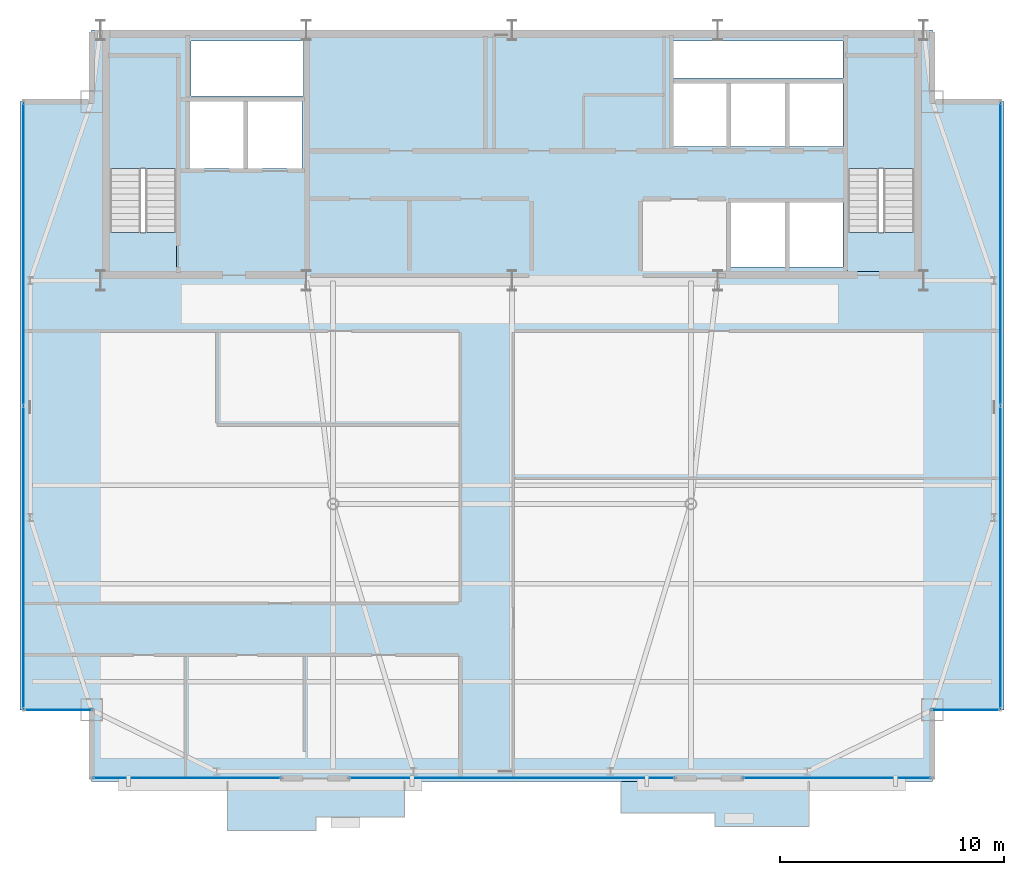
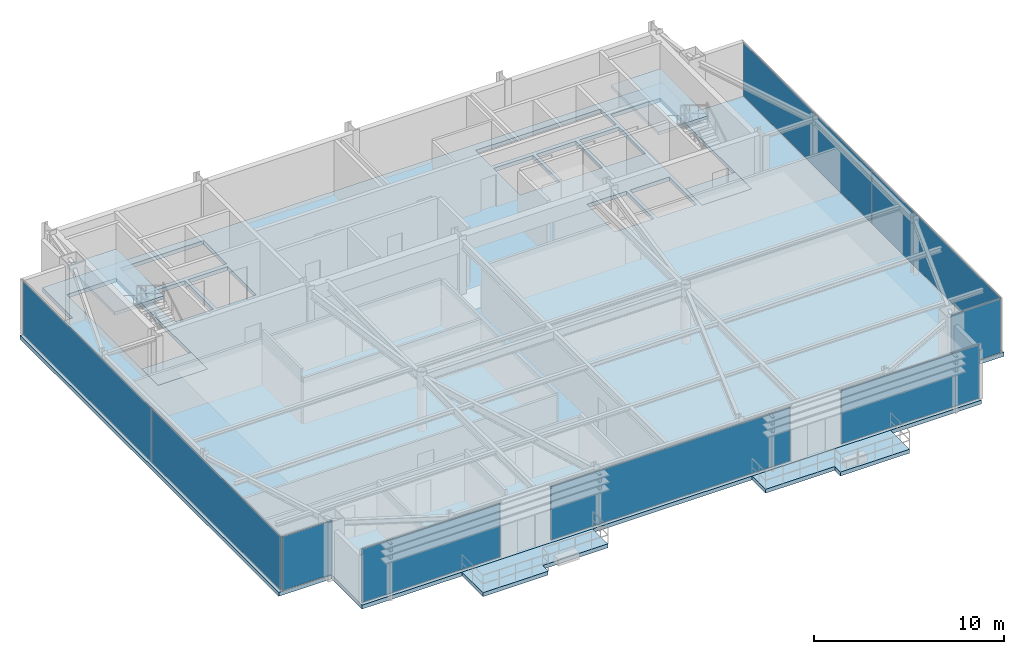
# One storey, part 18 of 24: 9 plates, 7 slabs, 9 elements without a shape of their own.
"""IFC4 building model written with IfcOpenShell, lengths in metres."""

from ifc_helpers import new_model, si_unit, direction, frame, origin, origin_2d, place, context, subcontext, project, spatial, polyline, rectangle, outline, extrude, source, transform, mapped, material, layer, layer_set, type_object, type_shapes, element, aggregate, save


model = new_model("IFC4")

# Units and contexts
model_context = context("Model", 3, precision=1e-05, world=origin(), true_north=direction((0.0, 1.0)))
body_context = subcontext(model_context, "Body", "Model", "MODEL_VIEW")
ifc_project = project(units=[si_unit("LENGTHUNIT", "METRE"), si_unit("AREAUNIT", "SQUARE_METRE"), si_unit("VOLUMEUNIT", "CUBIC_METRE"), si_unit("PLANEANGLEUNIT", "RADIAN"), si_unit("MASSUNIT", "GRAM", prefix="KILO")], contexts=[model_context])

# Site, building, storey
site_placement = place(None, origin())
site = spatial("IfcSite", under=ifc_project, at=site_placement, CompositionType="ELEMENT")
building_placement = place(site_placement, origin())
building = spatial("IfcBuilding", under=site, at=building_placement, Name="Varnel Quay Broadcast Tower", CompositionType="ELEMENT")
storey_placement = place(building_placement, frame((0.0, 0.0, 281.199951171875)))
storey = spatial("IfcBuildingStorey", under=building, at=storey_placement, Name="L70", CompositionType="ELEMENT", Elevation=281.199951171875)

# Slabs
ifc_material_1 = material(Name="Concrete CSA A23.3 C40/50", Category="concrete")
ifc_layer_1 = layer(ifc_material_1, 0.25, Name="Concrete CSA A23.3 C40/50")
ifc_layer_set_1 = layer_set([ifc_layer_1], Name="Concrete CSA A23.3 C40/50")
slab_type_1 = type_object("IfcSlabType", Name="Slab_ExtTerrace250", PredefinedType="FLOOR", material=ifc_layer_set_1)
slab_1_placement = place(storey_placement, frame((0.0, 0.0, -0.25)))
element("IfcSlab", 1, at=slab_1_placement, inside=storey, type_object=slab_type_1, Name="L70 Planted Lobe Terrace Slab 1", PredefinedType="FLOOR", context=body_context, shape_type="SweptSolid", body=[
    extrude(outline(polyline([(21.27001953125, 11.010009765625), (25.235107421875, 11.010009765625), (25.235107421875, 11.610107421875), (29.199951171875, 11.610107421875), (29.199951171875, 13.199951171875), (21.27001953125, 13.199951171875), (21.27001953125, 11.010009765625)])), origin(), (0.0, 0.0, 1.0), 0.25),
])
slab_2_placement = place(storey_placement, frame((0.0, 0.0, -0.25)))
element("IfcSlab", 2, at=slab_2_placement, inside=storey, type_object=slab_type_1, Name="L70 Planted Lobe Terrace Slab 2", PredefinedType="FLOOR", context=body_context, shape_type="SweptSolid", body=[
    extrude(outline(polyline([(38.8701171875, 11.7900390625), (43.070068359375, 11.7900390625), (43.070068359375, 11.18994140625), (47.27001953125, 11.18994140625), (47.27001953125, 13.199951171875), (38.8701171875, 13.199951171875), (38.8701171875, 11.7900390625)])), origin(), (0.0, 0.0, 1.0), 0.25),
])
ifc_material_2 = material(Name="Concrete CSA A23.3 C50/60", Category="concrete")
ifc_layer_2 = layer(ifc_material_2, 0.25, Name="Concrete CSA A23.3 C50/60")
ifc_layer_set_2 = layer_set([ifc_layer_2], Name="Concrete CSA A23.3 C50/60")
slab_type_2 = type_object("IfcSlabType", Name="Slab_Floor250", PredefinedType="FLOOR", material=ifc_layer_set_2)
slab_3_placement = place(storey_placement, frame((0.0, 0.0, -0.25)))
element("IfcSlab", 3, at=slab_3_placement, inside=storey, type_object=slab_type_2, Name="L70 Structural Slab", PredefinedType="FLOOR", context=body_context, shape_type="SweptSolid", body=[
    extrude(outline(polyline([(15.199951171875, 13.199951171875), (52.800048828125, 13.199951171875), (52.800048828125, 16.39990234375), (56.0, 16.39990234375), (56.0, 43.60009765625), (52.800048828125, 43.60009765625), (52.800048828125, 46.800048828125), (15.199951171875, 46.800048828125), (15.199951171875, 43.60009765625), (12.0, 43.60009765625), (12.0, 16.39990234375), (15.199951171875, 16.39990234375), (15.199951171875, 13.199951171875)]), holes=[polyline([(19.0, 36.0), (16.0, 36.0), (16.0, 45.60009765625), (19.0, 45.60009765625), (19.0, 36.0)]), polyline([(19.60009765625, 40.60009765625), (19.60009765625, 43.60009765625), (22.0, 43.60009765625), (22.0, 40.60009765625), (19.60009765625, 40.60009765625)]), polyline([(22.199951171875, 40.60009765625), (22.199951171875, 43.60009765625), (24.60009765625, 43.60009765625), (24.60009765625, 40.60009765625), (22.199951171875, 40.60009765625)]), polyline([(41.199951171875, 44.39990234375), (43.60009765625, 44.39990234375), (43.60009765625, 41.60009765625), (41.199951171875, 41.60009765625), (41.199951171875, 44.39990234375)]), polyline([(43.800048828125, 44.39990234375), (46.199951171875, 44.39990234375), (46.199951171875, 41.60009765625), (43.800048828125, 41.60009765625), (43.800048828125, 44.39990234375)]), polyline([(19.64990234375, 43.85009765625), (19.64990234375, 46.300048828125), (24.679931640625, 46.300048828125), (24.679931640625, 43.85009765625), (19.64990234375, 43.85009765625)]), polyline([(43.800048828125, 39.10009765625), (46.199951171875, 39.10009765625), (46.199951171875, 36.199951171875), (43.800048828125, 36.199951171875), (43.800048828125, 39.10009765625)]), polyline([(46.39990234375, 39.10009765625), (48.800048828125, 39.10009765625), (48.800048828125, 36.199951171875), (46.39990234375, 36.199951171875), (46.39990234375, 39.10009765625)]), polyline([(52.0, 36.0), (49.0, 36.0), (49.0, 45.60009765625), (52.0, 45.60009765625), (52.0, 36.0)]), polyline([(46.39990234375, 44.39990234375), (48.800048828125, 44.39990234375), (48.800048828125, 41.60009765625), (46.39990234375, 41.60009765625), (46.39990234375, 44.39990234375)]), polyline([(41.199951171875, 46.300048828125), (48.800048828125, 46.300048828125), (48.800048828125, 44.64990234375), (41.199951171875, 44.64990234375), (41.199951171875, 46.300048828125)])]), origin(), (0.0, 0.0, 1.0), 0.25),
])
ifc_layer_3 = layer(ifc_material_2, 0.25, Name="Concrete CSA A23.3 C50/60")
ifc_layer_set_3 = layer_set([ifc_layer_3], Name="Concrete CSA A23.3 C50/60")
slab_type_3 = type_object("IfcSlabType", Name="Slab_StairFloorLanding250", PredefinedType="FLOOR", material=ifc_layer_set_3)
slab_4_placement = place(storey_placement, frame((0.0, 0.0, -0.25)))
element("IfcSlab", 4, at=slab_4_placement, inside=storey, type_object=slab_type_3, Name="L70 ST-01 Structural Floor Landing Slab", PredefinedType="FLOOR", context=body_context, shape_type="SweptSolid", body=[
    extrude(outline(polyline([(19.0, 36.0), (19.0, 37.75), (16.0, 37.75), (16.0, 36.0), (19.0, 36.0)])), origin(), (0.0, 0.0, 1.0), 0.25),
])
slab_5_placement = place(storey_placement, frame((0.0, 0.0, -0.25)))
element("IfcSlab", 5, at=slab_5_placement, inside=storey, type_object=slab_type_3, Name="L70 ST-02 Structural Floor Landing Slab", PredefinedType="FLOOR", context=body_context, shape_type="SweptSolid", body=[
    extrude(outline(polyline([(52.0, 36.0), (52.0, 37.75), (49.0, 37.75), (49.0, 36.0), (52.0, 36.0)])), origin(), (0.0, 0.0, 1.0), 0.25),
])

# Stair, slab
ifc_material_3 = material(Name="Precast Structural Concrete C40/50", Category="concrete")
stair_type_1 = type_object("IfcStairType", Name="Stair_ST-01", PredefinedType="HALF_TURN_STAIR", material=ifc_material_3)
stair_1_placement = place(storey_placement, origin())
stair_1 = element("IfcStair", 6, at=stair_1_placement, inside=storey, type_object=stair_type_1, Name="L70 West Core Exit Stair 1", PredefinedType="HALF_TURN_STAIR")
ifc_layer_4 = layer(ifc_material_3, 0.199951171875, Name="Precast Structural Concrete C40/50")
ifc_layer_set_4 = layer_set([ifc_layer_4], Name="Precast Structural Concrete C40/50")
slab_type_4 = type_object("IfcSlabType", Name="Slab_StairLanding200", PredefinedType="LANDING", material=ifc_layer_set_4)
slab_6_placement = place(storey_placement, frame((0.0, 0.0, 1.699951171875)))
slab_6 = element("IfcSlab", 7, at=slab_6_placement, type_object=slab_type_4, Name="ST-01 landing 1", PredefinedType="LANDING", context=body_context, shape_type="SweptSolid", body=[
    extrude(outline(polyline([(19.0, 40.60009765625), (19.0, 45.60009765625), (16.0, 45.60009765625), (16.0, 40.60009765625), (19.0, 40.60009765625)])), origin(), (0.0, 0.0, 1.0), 0.2001953125),
])
aggregate(stair_1, [slab_6])

stair_type_2 = type_object("IfcStairType", Name="Stair_ST-02", PredefinedType="HALF_TURN_STAIR", material=ifc_material_3)
stair_2_placement = place(storey_placement, origin())
stair_2 = element("IfcStair", 8, at=stair_2_placement, inside=storey, type_object=stair_type_2, Name="L70 East Core Exit Stair 2", PredefinedType="HALF_TURN_STAIR")
slab_7_placement = place(storey_placement, frame((0.0, 0.0, 1.699951171875)))
slab_7 = element("IfcSlab", 9, at=slab_7_placement, type_object=slab_type_4, Name="ST-02 landing 1", PredefinedType="LANDING", context=body_context, shape_type="SweptSolid", body=[
    extrude(outline(polyline([(52.0, 40.60009765625), (52.0, 45.60009765625), (49.0, 45.60009765625), (49.0, 40.60009765625), (52.0, 40.60009765625)])), origin(), (0.0, 0.0, 1.0), 0.2001953125),
])
aggregate(stair_2, [slab_7])

# Curtain wall, plate
ifc_material_4 = material(Name="Anodised Bronze Aluminium 6063-T6", Category="aluminium")
ifc_layer_5 = layer(ifc_material_4, 0.18994140625, Name="Anodised Bronze Aluminium 6063-T6")
ifc_layer_set_5 = layer_set([ifc_layer_5], Name="Anodised Bronze Aluminium 6063-T6")
curtain_wall_type_1 = type_object("IfcCurtainWallType", Name="CW_UpperTower", PredefinedType="NOTDEFINED", material=ifc_layer_set_5)
curtain_wall_1_placement = place(storey_placement, origin())
curtain_wall_1 = element("IfcCurtainWall", 10, at=curtain_wall_1_placement, inside=storey, type_object=curtain_wall_type_1, Name="L70 South Unitised Curtain Wall 1", PredefinedType="NOTDEFINED")
ifc_material_5 = material(Name="Triple-Glazed Bronze Low-E Architectural Glass", Category="glass")
ifc_layer_6 = layer(ifc_material_5, 0.030029296875, Name="Triple-Glazed Bronze Low-E Architectural Glass")
ifc_layer_set_6 = layer_set([ifc_layer_6], Name="Triple-Glazed Bronze Low-E Architectural Glass")
plate_type_1 = type_object("IfcPlateType", Name="Panel_CWS-03", PredefinedType="CURTAIN_PANEL", material=ifc_layer_set_6)
shared_shape_1 = source(origin(), body_context, "Body", "SweptSolid", [
    extrude(rectangle(XDim=8.389892578125, YDim=0.030029296875, at=origin_2d()), origin(), (0.0, 0.0, 1.0), 3.429931640625),
])
type_shapes(plate_type_1, [shared_shape_1])
plate_1_placement = place(storey_placement, frame((19.4599609375, 13.35009765625, 0.06005859375), z_axis=(0.0, 0.0, 1.0), x_axis=(1.0, 0.0, 0.0)))
plate_1 = element("IfcPlate", 11, at=plate_1_placement, type_object=plate_type_1, Name="CWS-03 panel 1.1", PredefinedType="CURTAIN_PANEL", context=body_context, shape_type="MappedRepresentation", body=[
    mapped(shared_shape_1, transform((0.0, 0.0, 0.0), x_axis=(1.0, 0.0, 0.0), y_axis=(0.0, 1.0, 0.0), z_axis=(0.0, 0.0, 1.0), scale=1.0)),
])
aggregate(curtain_wall_1, [plate_1])

curtain_wall_2_placement = place(storey_placement, origin())
curtain_wall_2 = element("IfcCurtainWall", 12, at=curtain_wall_2_placement, inside=storey, type_object=curtain_wall_type_1, Name="L70 South Unitised Curtain Wall 3", PredefinedType="NOTDEFINED")
plate_2_placement = place(storey_placement, frame((48.5400390625, 13.35009765625, 0.06005859375), z_axis=(0.0, 0.0, 1.0), x_axis=(1.0, 0.0, 0.0)))
plate_2 = element("IfcPlate", 13, at=plate_2_placement, type_object=plate_type_1, Name="CWS-03 panel 1.1", PredefinedType="CURTAIN_PANEL", context=body_context, shape_type="MappedRepresentation", body=[
    mapped(shared_shape_1, transform((0.0, 0.0, 0.0), x_axis=(1.0, 0.0, 0.0), y_axis=(0.0, 1.0, 0.0), z_axis=(0.0, 0.0, 1.0), scale=1.0)),
])
aggregate(curtain_wall_2, [plate_2])

# Curtain wall, plates
curtain_wall_3_placement = place(storey_placement, origin())
curtain_wall_3 = element("IfcCurtainWall", 14, at=curtain_wall_3_placement, inside=storey, type_object=curtain_wall_type_1, Name="L70 West Unitised Curtain Wall", PredefinedType="NOTDEFINED")
ifc_material_6 = material(Name="Insulated Bronze Spandrel Glass", Category="glass")
ifc_layer_7 = layer(ifc_material_6, 0.030029296875, Name="Insulated Bronze Spandrel Glass")
ifc_layer_set_7 = layer_set([ifc_layer_7], Name="Insulated Bronze Spandrel Glass")
plate_type_2 = type_object("IfcPlateType", Name="PanelSp_CWS-03", PredefinedType="CURTAIN_PANEL", material=ifc_layer_set_7)
shared_shape_2 = source(origin(), body_context, "Body", "SweptSolid", [
    extrude(rectangle(XDim=13.50244140625, YDim=0.030029296875, at=origin_2d()), origin(), (0.0, 0.0, 1.0), 3.429931640625),
])
plate_3_placement = place(storey_placement, frame((12.14990234375, 23.21630859375, 0.06005859375), z_axis=(0.0, 0.0, 1.0), x_axis=(0.0, 1.0, 0.0)))
plate_3 = element("IfcPlate", 15, at=plate_3_placement, type_object=plate_type_2, Name="CWS-03 panel 1.1", PredefinedType="CURTAIN_PANEL", context=body_context, shape_type="MappedRepresentation", body=[
    mapped(shared_shape_2, transform((0.0, 0.0, 0.0), x_axis=(1.0, 0.0, 0.0), y_axis=(0.0, 1.0, 0.0), z_axis=(0.0, 0.0, 1.0), scale=1.0)),
])
plate_4_placement = place(storey_placement, frame((12.14990234375, 36.78369140625, 0.06005859375), z_axis=(0.0, 0.0, 1.0), x_axis=(0.0, 1.0, 0.0)))
plate_4 = element("IfcPlate", 16, at=plate_4_placement, type_object=plate_type_2, Name="CWS-03 panel 2.1", PredefinedType="CURTAIN_PANEL", context=body_context, shape_type="MappedRepresentation", body=[
    mapped(shared_shape_2, transform((0.0, 0.0, 0.0), x_axis=(1.0, 0.0, 0.0), y_axis=(0.0, 1.0, 0.0), z_axis=(0.0, 0.0, 1.0), scale=1.0)),
])
aggregate(curtain_wall_3, [plate_3, plate_4])

curtain_wall_4_placement = place(storey_placement, origin())
curtain_wall_4 = element("IfcCurtainWall", 17, at=curtain_wall_4_placement, inside=storey, type_object=curtain_wall_type_1, Name="L70 East Unitised Curtain Wall", PredefinedType="NOTDEFINED")
plate_5_placement = place(storey_placement, frame((55.85009765625, 23.21630859375, 0.06005859375), z_axis=(0.0, 0.0, 1.0), x_axis=(0.0, 1.0, 0.0)))
plate_5 = element("IfcPlate", 18, at=plate_5_placement, type_object=plate_type_2, Name="CWS-03 panel 1.1", PredefinedType="CURTAIN_PANEL", context=body_context, shape_type="MappedRepresentation", body=[
    mapped(shared_shape_2, transform((0.0, 0.0, 0.0), x_axis=(1.0, 0.0, 0.0), y_axis=(0.0, 1.0, 0.0), z_axis=(0.0, 0.0, 1.0), scale=1.0)),
])
plate_6_placement = place(storey_placement, frame((55.85009765625, 36.78369140625, 0.06005859375), z_axis=(0.0, 0.0, 1.0), x_axis=(0.0, 1.0, 0.0)))
plate_6 = element("IfcPlate", 19, at=plate_6_placement, type_object=plate_type_2, Name="CWS-03 panel 2.1", PredefinedType="CURTAIN_PANEL", context=body_context, shape_type="MappedRepresentation", body=[
    mapped(shared_shape_2, transform((0.0, 0.0, 0.0), x_axis=(1.0, 0.0, 0.0), y_axis=(0.0, 1.0, 0.0), z_axis=(0.0, 0.0, 1.0), scale=1.0)),
])
aggregate(curtain_wall_4, [plate_5, plate_6])

# Curtain wall, plate
ifc_layer_8 = layer(ifc_material_4, 0.18994140625, Name="Anodised Bronze Aluminium 6063-T6")
ifc_layer_set_8 = layer_set([ifc_layer_8], Name="Anodised Bronze Aluminium 6063-T6")
curtain_wall_type_2 = type_object("IfcCurtainWallType", Name="CW_NotchCorner", PredefinedType="NOTDEFINED", material=ifc_layer_set_8)
curtain_wall_5_placement = place(storey_placement, origin())
curtain_wall_5 = element("IfcCurtainWall", 20, at=curtain_wall_5_placement, inside=storey, type_object=curtain_wall_type_2, Name="L70 SW Notch Curtain Wall", PredefinedType="NOTDEFINED")
ifc_layer_9 = layer(ifc_material_5, 0.028076171875, Name="Triple-Glazed Bronze Low-E Architectural Glass")
ifc_layer_set_9 = layer_set([ifc_layer_9], Name="Triple-Glazed Bronze Low-E Architectural Glass")
plate_type_3 = type_object("IfcPlateType", Name="Panel_CWS-04", PredefinedType="CURTAIN_PANEL", material=ifc_layer_set_9)
shared_shape_3 = source(origin(), body_context, "Body", "SweptSolid", [
    extrude(rectangle(XDim=3.010009765625, YDim=0.028076171875, at=origin_2d()), origin(), (0.0, 0.0, 1.0), 3.43994140625),
])
type_shapes(plate_type_3, [shared_shape_3])
plate_7_placement = place(storey_placement, frame((13.715087890625, 16.39990234375, 0.05517578125), z_axis=(0.0, 0.0, 1.0), x_axis=(1.0, 0.0, 0.0)))
plate_7 = element("IfcPlate", 21, at=plate_7_placement, type_object=plate_type_3, Name="CWS-04 panel 1.1", PredefinedType="CURTAIN_PANEL", context=body_context, shape_type="MappedRepresentation", body=[
    mapped(shared_shape_3, transform((0.0, 0.0, 0.0), x_axis=(1.0, 0.0, 0.0), y_axis=(0.0, 1.0, 0.0), z_axis=(0.0, 0.0, 1.0), scale=1.0)),
])
aggregate(curtain_wall_5, [plate_7])

curtain_wall_6_placement = place(storey_placement, origin())
curtain_wall_6 = element("IfcCurtainWall", 22, at=curtain_wall_6_placement, inside=storey, type_object=curtain_wall_type_2, Name="L70 SE Notch Curtain Wall", PredefinedType="NOTDEFINED")
plate_8_placement = place(storey_placement, frame((54.284912109375, 16.39990234375, 0.05517578125), z_axis=(0.0, 0.0, 1.0), x_axis=(1.0, 0.0, 0.0)))
plate_8 = element("IfcPlate", 23, at=plate_8_placement, type_object=plate_type_3, Name="CWS-04 panel 1.1", PredefinedType="CURTAIN_PANEL", context=body_context, shape_type="MappedRepresentation", body=[
    mapped(shared_shape_3, transform((0.0, 0.0, 0.0), x_axis=(1.0, 0.0, 0.0), y_axis=(0.0, 1.0, 0.0), z_axis=(0.0, 0.0, 1.0), scale=1.0)),
])
aggregate(curtain_wall_6, [plate_8])

curtain_wall_7_placement = place(storey_placement, origin())
curtain_wall_7 = element("IfcCurtainWall", 24, at=curtain_wall_7_placement, inside=storey, type_object=curtain_wall_type_1, Name="L70 South Unitised Curtain Wall 2", PredefinedType="NOTDEFINED")
shared_shape_4 = source(origin(), body_context, "Body", "SweptSolid", [
    extrude(rectangle(XDim=14.510009765625, YDim=0.030029296875, at=origin_2d()), origin(), (0.0, 0.0, 1.0), 3.429931640625),
])
type_shapes(plate_type_2, [shared_shape_2, shared_shape_4])
plate_9_placement = place(storey_placement, frame((34.0, 13.35009765625, 0.06005859375), z_axis=(0.0, 0.0, 1.0), x_axis=(1.0, 0.0, 0.0)))
plate_9 = element("IfcPlate", 25, at=plate_9_placement, type_object=plate_type_2, Name="CWS-03 panel 1.1", PredefinedType="CURTAIN_PANEL", context=body_context, shape_type="MappedRepresentation", body=[
    mapped(shared_shape_4, transform((0.0, 0.0, 0.0), x_axis=(1.0, 0.0, 0.0), y_axis=(0.0, 1.0, 0.0), z_axis=(0.0, 0.0, 1.0), scale=1.0)),
])
aggregate(curtain_wall_7, [plate_9])

save(model, "model.ifc")
